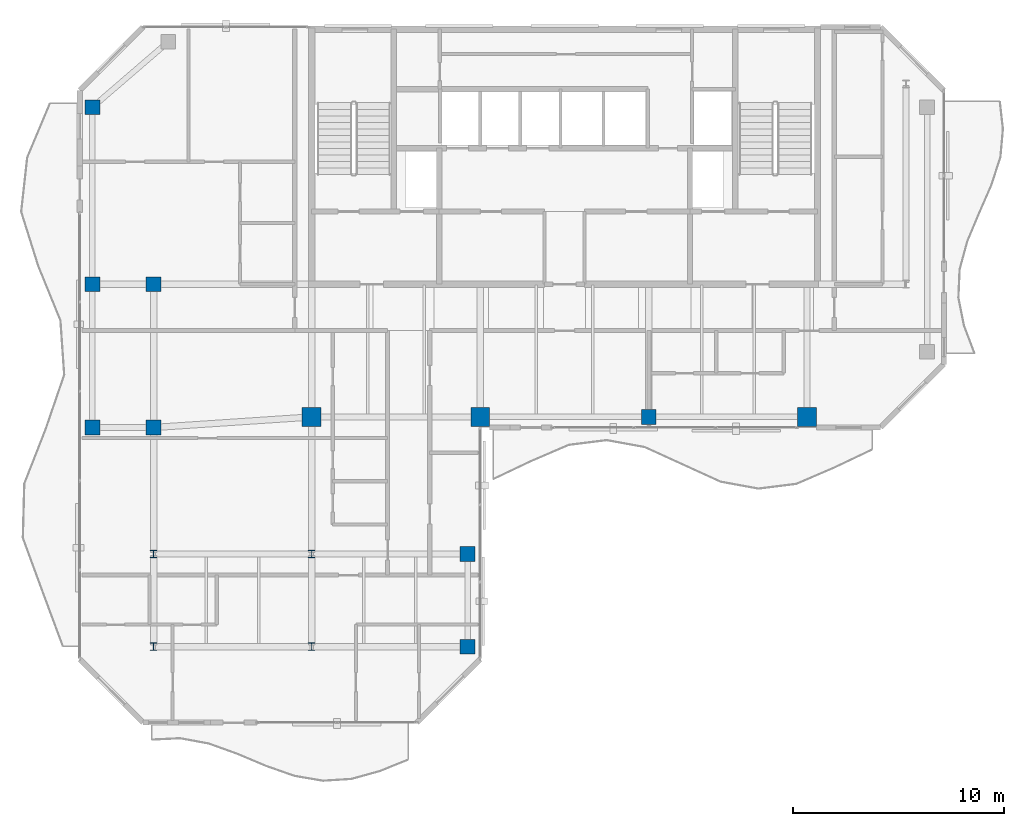
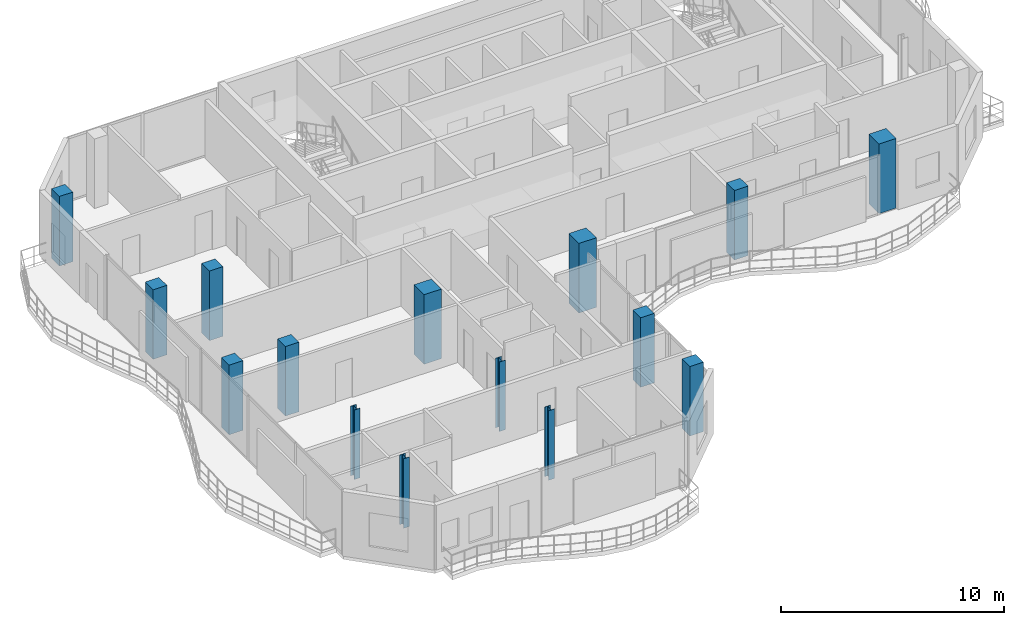
# One storey, part 1 of 23: 15 columns.
"""IFC4 building model written with IfcOpenShell, lengths in metres."""

from ifc_helpers import new_model, si_unit, direction, frame, origin, origin_2d, place, context, subcontext, project, spatial, rectangle, i_section, extrude, material, material_profile, profile_set, type_object, element, save


model = new_model("IFC4")

# Units and contexts
model_context = context("Model", 3, precision=1e-05, world=origin(), true_north=direction((0.0, 1.0)))
body_context = subcontext(model_context, "Body", "Model", "MODEL_VIEW")
ifc_project = project(units=[si_unit("LENGTHUNIT", "METRE"), si_unit("AREAUNIT", "SQUARE_METRE"), si_unit("VOLUMEUNIT", "CUBIC_METRE"), si_unit("PLANEANGLEUNIT", "RADIAN"), si_unit("MASSUNIT", "GRAM", prefix="KILO")], contexts=[model_context])

# Site, building, storey
site_placement = place(None, origin())
site = spatial("IfcSite", under=ifc_project, at=site_placement, CompositionType="ELEMENT")
building_placement = place(site_placement, origin())
building = spatial("IfcBuilding", under=site, at=building_placement, Name="Catumbela Crestline Tower", CompositionType="ELEMENT")
storey_placement = place(building_placement, frame((0.0, 0.0, 252.6)))
storey = spatial("IfcBuildingStorey", under=building, at=storey_placement, Name="L65", CompositionType="ELEMENT", Elevation=252.6)

# Columns
ifc_material_1 = material(Name="Concrete C45/55", Category="concrete")
ifc_material_profile_1 = material_profile(ifc_material_1, rectangle(XDim=0.7, YDim=0.7, at=origin_2d()), Name="RC 700x700")
ifc_profile_set_1 = profile_set([ifc_material_profile_1], Name="Concrete C45/55")
column_type_1 = type_object("IfcColumnType", Name="C-RC700-C45", PredefinedType="COLUMN", material=ifc_profile_set_1)
for number, where, z_axis, x_axis, name in (
    (1, (8.5, 24.0, 0.0), (0.0, 0.0, 1.0), (1.0, 0.0, 0.0), "L65 Column C-08-24 (RC 700x700)"),
    (2, (32.0, 24.5, 0.0), (0.0, 0.0, 1.0), (1.0, 0.0, 0.0), "L65 Column C-32-24 (RC 700x700)"),
    (3, (5.6, 24.0, 0.0), (0.0, 0.0, 1.0), (1.0, 0.0, 0.0), "L65 Column C-05-24 (RC 700x700)"),
    (4, (5.6, 30.8, 0.0), (0.0, 0.0, 1.0), (1.0, 0.0, 0.0), "L65 Column C-05-31 (RC 700x700)"),
    (5, (5.6, 39.2, 0.0), (0.0, 0.0, 1.0), (1.0, 0.0, 0.0), "L65 Column C-05-43 (RC 700x700)"),
    (6, (8.5, 30.8, 0.0), (0.0, 0.0, 1.0), (1.0, 0.0, 0.0), "L65 Column C-08-31 (RC 700x700)"),
    (7, (23.4, 13.6, 0.0), (0.0, 0.0, 1.0), (1.0, 0.0, 0.0), "L65 Column C-24-10 (RC 700x700)"),
    (8, (23.4, 18.0, 0.0), (0.0, 0.0, 1.0), (1.0, 0.0, 0.0), "L65 Column C-24-16 (RC 700x700)"),
):
    element("IfcColumn", number, at=place(storey_placement, frame(where, z_axis=z_axis, x_axis=x_axis)), inside=storey, type_object=column_type_1, Name=name, PredefinedType="COLUMN", context=body_context, shape_type="SweptSolid", body=[
        extrude(rectangle(XDim=0.7, YDim=0.7, at=origin_2d()), origin(), (0.0, 0.0, 1.0), 3.8),
    ])
ifc_material_profile_2 = material_profile(ifc_material_1, rectangle(XDim=0.9, YDim=0.9, at=origin_2d()), Name="RC 900x900")
ifc_profile_set_2 = profile_set([ifc_material_profile_2], Name="Concrete C45/55")
column_type_2 = type_object("IfcColumnType", Name="C-RC900-C45", PredefinedType="COLUMN", material=ifc_profile_set_2)
for number, where, z_axis, x_axis, name in (
    (9, (16.0, 24.5, 0.0), (0.0, 0.0, 1.0), (1.0, 0.0, 0.0), "L65 Column C-16-24 (RC 900x900)"),
    (10, (24.0, 24.5, 0.0), (0.0, 0.0, 1.0), (1.0, 0.0, 0.0), "L65 Column C-24-24 (RC 900x900)"),
    (11, (39.5, 24.5, 0.0), (0.0, 0.0, 1.0), (1.0, 0.0, 0.0), "L65 Column C-40-24 (RC 900x900)"),
):
    element("IfcColumn", number, at=place(storey_placement, frame(where, z_axis=z_axis, x_axis=x_axis)), inside=storey, type_object=column_type_2, Name=name, PredefinedType="COLUMN", context=body_context, shape_type="SweptSolid", body=[
        extrude(rectangle(XDim=0.9, YDim=0.9, at=origin_2d()), origin(), (0.0, 0.0, 1.0), 3.8),
    ])
ifc_material_2 = material(Name="Structural steel S355J2", Category="steel")
ifc_material_profile_3 = material_profile(ifc_material_2, i_section(OverallWidth=0.3, OverallDepth=0.36, WebThickness=0.0125, FlangeThickness=0.0225, FilletRadius=0.027, at=origin_2d()), Name="HEB 360")
ifc_profile_set_3 = profile_set([ifc_material_profile_3], Name="Structural steel S355J2")
column_type_3 = type_object("IfcColumnType", Name="C-ST-HEB360", PredefinedType="COLUMN", material=ifc_profile_set_3)
for number, where, z_axis, x_axis, name in (
    (12, (8.5, 13.6, 0.0), (0.0, 0.0, 1.0), (1.0, 0.0, 0.0), "L65 Column CT-05-10 (HEB 360)"),
    (13, (16.0, 13.6, 0.0), (0.0, 0.0, 1.0), (1.0, 0.0, 0.0), "L65 Column CT-14-10 (HEB 360)"),
    (14, (8.5, 18.0, 0.0), (0.0, 0.0, 1.0), (1.0, 0.0, 0.0), "L65 Column CT-05-16 (HEB 360)"),
    (15, (16.0, 18.0, 0.0), (0.0, 0.0, 1.0), (1.0, 0.0, 0.0), "L65 Column CT-14-16 (HEB 360)"),
):
    element("IfcColumn", number, at=place(storey_placement, frame(where, z_axis=z_axis, x_axis=x_axis)), inside=storey, type_object=column_type_3, Name=name, PredefinedType="COLUMN", context=body_context, shape_type="SweptSolid", body=[
        extrude(i_section(OverallWidth=0.3, OverallDepth=0.36, WebThickness=0.0125, FlangeThickness=0.0225, FilletRadius=0.027, at=origin_2d()), origin(), (0.0, 0.0, 1.0), 3.8),
    ])

save(model, "model.ifc")
